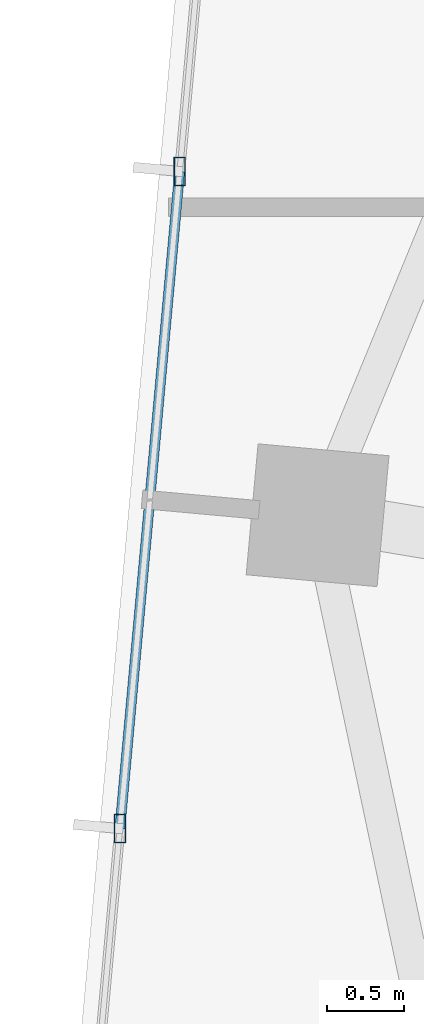
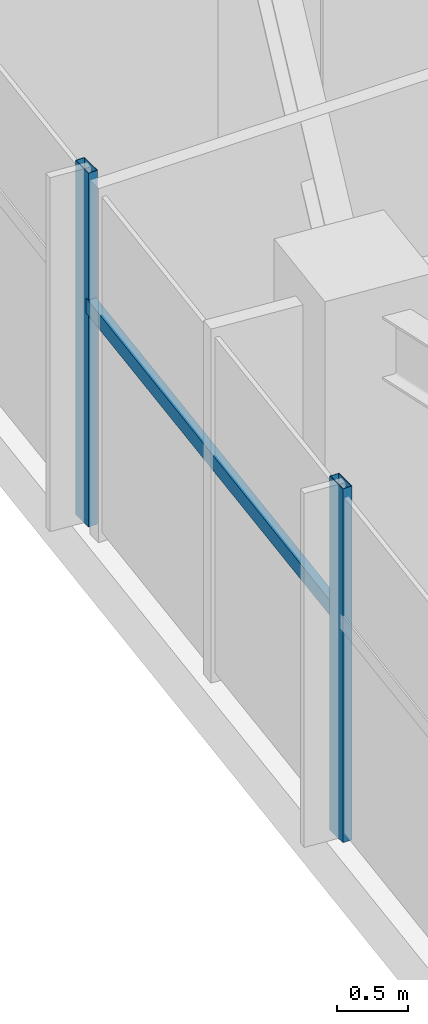
# One storey, part 4 of 22: 3 members, 1 element without a shape of its own.
"""IFC4 building model written with IfcOpenShell, lengths in metres."""

from ifc_helpers import new_model, si_unit, direction, frame, origin, origin_2d, place, context, subcontext, project, spatial, hollow_rectangle, extrude, source, transform, mapped, material, material_profile, profile_set, type_object, type_shapes, element, aggregate, save


model = new_model("IFC4")

# Units and contexts
model_context = context("Model", 3, precision=1e-05, world=origin(), true_north=direction((0.0, 1.0)))
body_context = subcontext(model_context, "Body", "Model", "MODEL_VIEW")
ifc_project = project(units=[si_unit("LENGTHUNIT", "METRE"), si_unit("AREAUNIT", "SQUARE_METRE"), si_unit("VOLUMEUNIT", "CUBIC_METRE"), si_unit("PLANEANGLEUNIT", "RADIAN"), si_unit("MASSUNIT", "GRAM", prefix="KILO")], contexts=[model_context])

# Site, building, storey
site_placement = place(None, origin())
site = spatial("IfcSite", under=ifc_project, at=site_placement, CompositionType="ELEMENT")
building_placement = place(site_placement, origin())
building = spatial("IfcBuilding", under=site, at=building_placement, Name="Astriad Promenade Condominiums", CompositionType="ELEMENT")
storey_placement = place(building_placement, frame((0.0, 0.0, 216.60009765625)))
storey = spatial("IfcBuildingStorey", under=building, at=storey_placement, Name="L62", CompositionType="ELEMENT", Elevation=216.60009765625)

# Curtain wall, members
ifc_material_1 = material(Name="Anodised aluminium Black Dark Glass Unitised", Category="aluminium")
curtain_wall_type = type_object("IfcCurtainWallType", Name="CW-B5-DARK", PredefinedType="USERDEFINED", material=ifc_material_1)
curtain_wall_placement = place(storey_placement, origin())
curtain_wall = element("IfcCurtainWall", 1, at=curtain_wall_placement, inside=storey, type_object=curtain_wall_type, Name="CW-L62-W", ObjectType="UNITISED_CURTAIN_WALL", PredefinedType="USERDEFINED")
ifc_material_2 = material(Name="Anodised aluminium 6063-T6 Black", Category="aluminium")
ifc_material_profile_1 = material_profile(ifc_material_2, hollow_rectangle(XDim=0.074951171875, YDim=0.18505859375, WallThickness=0.00439453125, at=origin_2d()), Name="ALU-MUL-75X185")
ifc_profile_set_1 = profile_set([ifc_material_profile_1], Name="Anodised aluminium 6063-T6 Black")
member_type_1 = type_object("IfcMemberType", Name="MUL-ALU-MUL-75X185", PredefinedType="MULLION", material=ifc_profile_set_1)
shared_shape_1 = source(origin(), body_context, "Body", "SweptSolid", [
    extrude(hollow_rectangle(XDim=0.074951171875, YDim=0.18505859375, WallThickness=0.00439453125, at=origin_2d()), origin(), (0.0, 0.0, 1.0), 3.039794921875),
])
type_shapes(member_type_1, [shared_shape_1])
member_1_placement = place(storey_placement, frame((9.4326171875, 17.984375, 0.0), z_axis=(0.0, 0.0, 1.0), x_axis=(1.0, 0.0, 0.0)))
member_1 = element("IfcMember", 2, at=member_1_placement, type_object=member_type_1, Name="CW-L62-W-MUL-01", PredefinedType="MULLION", context=body_context, shape_type="MappedRepresentation", body=[
    mapped(shared_shape_1, transform((0.0, 0.0, 0.0), scale=1.0)),
])
member_2_placement = place(storey_placement, frame((9.819091796875, 22.233642578125, 0.0), z_axis=(0.0, 0.0, 1.0), x_axis=(1.0, 0.0, 0.0)))
member_2 = element("IfcMember", 3, at=member_2_placement, type_object=member_type_1, Name="CW-L62-W-MUL-02", PredefinedType="MULLION", context=body_context, shape_type="MappedRepresentation", body=[
    mapped(shared_shape_1, transform((0.0, 0.0, 0.0), scale=1.0)),
])
ifc_material_profile_2 = material_profile(ifc_material_2, hollow_rectangle(XDim=0.06494140625, YDim=0.1298828125, WallThickness=0.00390625, at=origin_2d()), Name="ALU-TRN-65X130")
ifc_profile_set_2 = profile_set([ifc_material_profile_2], Name="Anodised aluminium 6063-T6 Black")
member_type_2 = type_object("IfcMemberType", Name="TRN-ALU-TRN-65X130", PredefinedType="USERDEFINED", material=ifc_profile_set_2)
shared_shape_2 = source(origin(), body_context, "Body", "SweptSolid", [
    extrude(hollow_rectangle(XDim=0.06494140625, YDim=0.1298828125, WallThickness=0.00390625, at=origin_2d()), origin(), (0.0, 0.0, 1.0), 4.266845703125),
])
type_shapes(member_type_2, [shared_shape_2])
member_3_placement = place(storey_placement, frame((9.4326171875, 17.984375, 1.884765625), z_axis=(0.090577018386, 0.995889453574, 0.0), x_axis=(-0.995889453574, 0.090577018386, 0.0)))
member_3 = element("IfcMember", 4, at=member_3_placement, type_object=member_type_2, Name="CW-L62-W-TRN-01-0", ObjectType="TRANSOM", PredefinedType="USERDEFINED", context=body_context, shape_type="MappedRepresentation", body=[
    mapped(shared_shape_2, transform((0.0, 0.0, 0.0), scale=1.0)),
])
aggregate(curtain_wall, [member_1, member_2, member_3])

save(model, "model.ifc")
